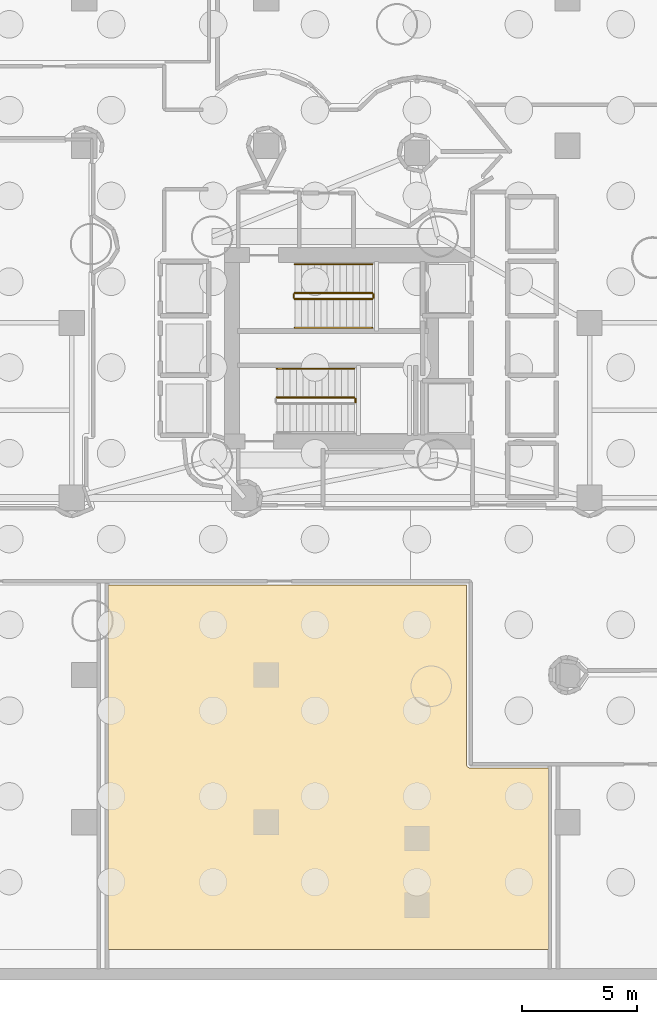
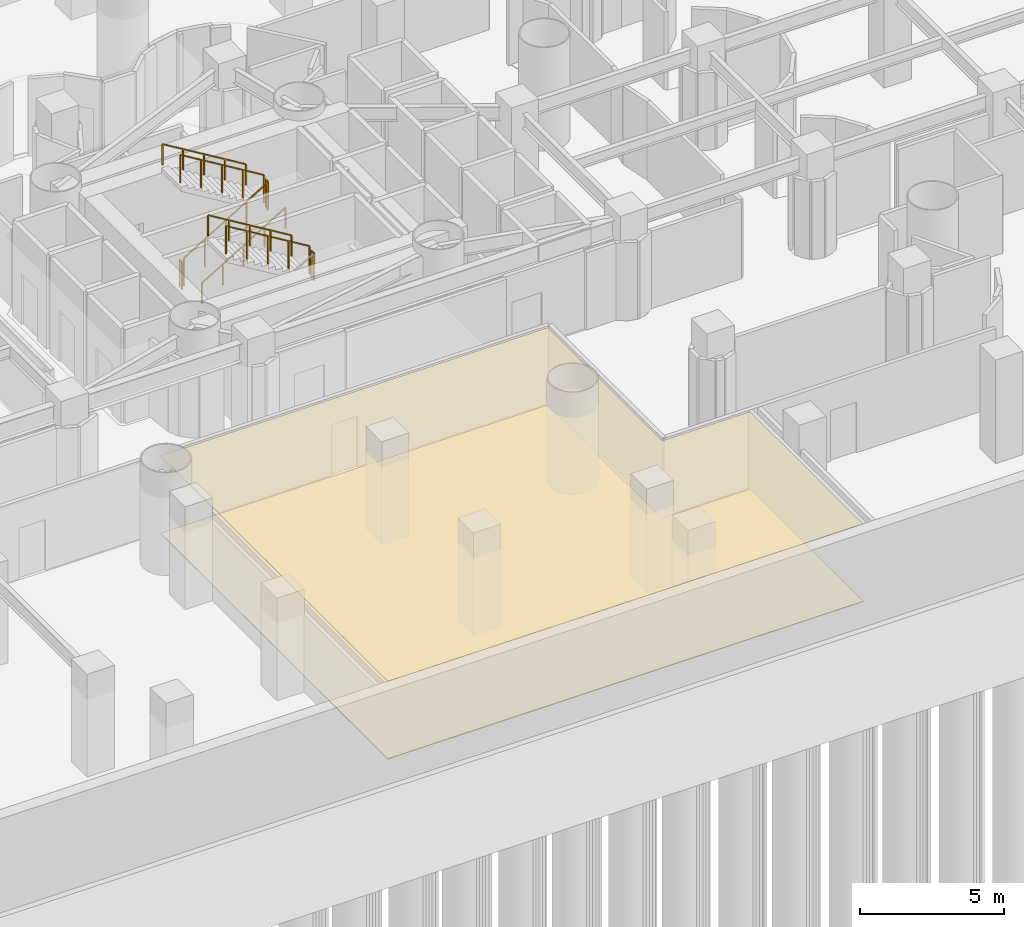
# One storey, part 10 of 13: 9 railings, 2 coverings.
"""IFC4 building model written with IfcOpenShell, lengths in metres."""

from ifc_helpers import new_model, si_unit, direction, frame, origin, origin_2d, place, context, subcontext, project, spatial, polyline, rectangle, outline, extrude, material, layer, layer_set, type_object, element, save


model = new_model("IFC4")

# Units and contexts
model_context = context("Model", 3, precision=1e-05, world=origin(), true_north=direction((0.0, 1.0)))
body_context = subcontext(model_context, "Body", "Model", "MODEL_VIEW")
ifc_project = project(units=[si_unit("LENGTHUNIT", "METRE"), si_unit("AREAUNIT", "SQUARE_METRE"), si_unit("VOLUMEUNIT", "CUBIC_METRE"), si_unit("PLANEANGLEUNIT", "RADIAN"), si_unit("MASSUNIT", "GRAM", prefix="KILO")], contexts=[model_context])

# Site, building, storey
site_placement = place(None, origin())
site = spatial("IfcSite", under=ifc_project, at=site_placement, CompositionType="ELEMENT")
building_placement = place(site_placement, origin())
building = spatial("IfcBuilding", under=site, at=building_placement, Name="Qianvela Tower", CompositionType="ELEMENT")
storey_placement = place(building_placement, frame((0.0, 0.0, -10.0)))
storey = spatial("IfcBuildingStorey", under=building, at=storey_placement, Name="B02", CompositionType="ELEMENT", Elevation=-10.0)

# Coverings
ifc_material_1 = material(Name="Perforated Mineral Acoustic Ceiling Tile")
ifc_layer_1 = layer(ifc_material_1, 0.02490234375)
ifc_layer_set_1 = layer_set([ifc_layer_1], Name="Perforated Mineral Acoustic Ceiling Tile")
covering_type_1 = type_object("IfcCoveringType", Name="COV-CEIL-ACOUSTIC-25", PredefinedType="CEILING", material=ifc_layer_set_1)
covering_1_placement = place(storey_placement, frame((0.0, 0.0, 3.294921875)))
element("IfcCovering", 1, at=covering_1_placement, inside=storey, type_object=covering_type_1, Name="B02 Acoustic Ceiling B02 Emergency Standby Generator Room", PredefinedType="CEILING", context=body_context, shape_type="SweptSolid", body=[
    extrude(outline(polyline([(43.219970703125, 2.580078125), (24.080078125, 2.580078125), (24.080078125, 18.407958984375), (39.657958984375, 18.407958984375), (39.66259765625, 10.576171875), (39.6630859375, 10.568359375), (39.664306640625, 10.560546875), (39.666259765625, 10.552978515625), (39.668701171875, 10.545654296875), (39.672119140625, 10.53857421875), (39.67626953125, 10.53173828125), (39.680908203125, 10.525390625), (39.686279296875, 10.519775390625), (39.69189453125, 10.514404296875), (39.6982421875, 10.509765625), (39.755615234375, 10.471435546875), (39.76220703125, 10.46728515625), (39.769287109375, 10.464111328125), (39.77685546875, 10.46142578125), (39.784423828125, 10.45947265625), (39.792236328125, 10.45849609375), (39.800048828125, 10.4580078125), (43.219970703125, 10.4580078125), (43.219970703125, 2.580078125)])), origin(), (0.0, 0.0, 1.0), 0.025146484375),
])
ifc_material_2 = material(Name="Honed Stone Terrazzo Flooring", Category="masonry")
ifc_layer_2 = layer(ifc_material_2, 0.030029296875)
ifc_layer_set_2 = layer_set([ifc_layer_2], Name="Honed Stone Terrazzo Flooring")
covering_type_2 = type_object("IfcCoveringType", Name="COV-FLOOR-TERRAZZO-30", PredefinedType="FLOORING", material=ifc_layer_set_2)
covering_2_placement = place(storey_placement, origin())
element("IfcCovering", 2, at=covering_2_placement, inside=storey, type_object=covering_type_2, Name="B02 Finish Flooring B02 Emergency Standby Generator Room", PredefinedType="FLOORING", context=body_context, shape_type="SweptSolid", body=[
    extrude(outline(polyline([(43.219970703125, 2.580078125), (24.080078125, 2.580078125), (24.080078125, 18.407958984375), (39.657958984375, 18.407958984375), (39.66259765625, 10.576171875), (39.6630859375, 10.568359375), (39.664306640625, 10.560546875), (39.666259765625, 10.552978515625), (39.668701171875, 10.545654296875), (39.672119140625, 10.53857421875), (39.67626953125, 10.53173828125), (39.680908203125, 10.525390625), (39.686279296875, 10.519775390625), (39.69189453125, 10.514404296875), (39.6982421875, 10.509765625), (39.755615234375, 10.471435546875), (39.76220703125, 10.46728515625), (39.769287109375, 10.464111328125), (39.77685546875, 10.46142578125), (39.784423828125, 10.45947265625), (39.792236328125, 10.45849609375), (39.800048828125, 10.4580078125), (43.219970703125, 10.4580078125), (43.219970703125, 2.580078125)])), origin(), (0.0, 0.0, 1.0), 0.030029296875),
])

# Railings
ifc_material_3 = material(Name="Painted Tubular Steel Q355B", Category="steel")
railing_type_1 = type_object("IfcRailingType", Name="RL-STAIR-GUARD-1200", PredefinedType="GUARDRAIL", material=ifc_material_3)
railing_1_placement = place(storey_placement, frame((32.199951171875, 30.840087890625, 0.169189453125)))
element("IfcRailing", 3, at=railing_1_placement, inside=storey, type_object=railing_type_1, Name="B02 ST-1 stair guard 1", PredefinedType="GUARDRAIL", context=body_context, shape_type="SweptSolid", body=[
    extrude(rectangle(XDim=0.050048828125, YDim=0.0400390625, at=origin_2d()), frame((0.0, 0.0, 1.179931640625), z_axis=(0.855836976705, 0.0, 0.517245656632), x_axis=(0.0, 1.0, 0.0)), (0.0, 0.0, 1.0), 3.926025390625),
    extrude(rectangle(XDim=0.050048828125, YDim=0.050048828125, at=origin_2d()), origin(), (0.0, 0.0, 1.0), 1.159912109375),
    extrude(rectangle(XDim=0.050048828125, YDim=0.050048828125, at=origin_2d()), frame((0.840087890625, 0.0, 0.5078125)), (0.0, 0.0, 1.0), 1.159912109375),
    extrude(rectangle(XDim=0.050048828125, YDim=0.050048828125, at=origin_2d()), frame((1.68017578125, 0.0, 1.015380859375)), (0.0, 0.0, 1.0), 1.159912109375),
    extrude(rectangle(XDim=0.050048828125, YDim=0.050048828125, at=origin_2d()), frame((2.52001953125, 0.0, 1.52294921875)), (0.0, 0.0, 1.0), 1.159912109375),
    extrude(rectangle(XDim=0.050048828125, YDim=0.050048828125, at=origin_2d()), frame((3.360107421875, 0.0, 2.03076171875)), (0.0, 0.0, 1.0), 1.159912109375),
])
railing_2_placement = place(storey_placement, frame((35.610107421875, 30.889892578125, 2.199951171875)))
element("IfcRailing", 4, at=railing_2_placement, inside=storey, type_object=railing_type_1, Name="B02 ST-1 stair guard 2", PredefinedType="GUARDRAIL", context=body_context, shape_type="SweptSolid", body=[
    extrude(rectangle(XDim=0.050048828125, YDim=0.0400390625, at=origin_2d()), frame((0.0, 0.0, 1.179931640625), z_axis=(0.0, 1.0, 0.0), x_axis=(-1.0, 0.0, 0.0)), (0.0, 0.0, 1.0), 0.16015625),
    extrude(rectangle(XDim=0.050048828125, YDim=0.050048828125, at=origin_2d()), origin(), (0.0, 0.0, 1.0), 1.159912109375),
    extrude(rectangle(XDim=0.050048828125, YDim=0.050048828125, at=origin_2d()), frame((0.0, 0.16015625, 0.0)), (0.0, 0.0, 1.0), 1.159912109375),
])
railing_3_placement = place(storey_placement, frame((35.56005859375, 31.10009765625, 2.369140625)))
element("IfcRailing", 5, at=railing_3_placement, inside=storey, type_object=railing_type_1, Name="B02 ST-1 stair guard 3", PredefinedType="GUARDRAIL", context=body_context, shape_type="SweptSolid", body=[
    extrude(rectangle(XDim=0.050048828125, YDim=0.0400390625, at=origin_2d()), frame((0.0, 0.0, 1.179931640625), z_axis=(-0.855836976705, 0.0, 0.517245656632), x_axis=(0.0, -1.0, 0.0)), (0.0, 0.0, 1.0), 3.926025390625),
    extrude(rectangle(XDim=0.050048828125, YDim=0.050048828125, at=origin_2d()), origin(), (0.0, 0.0, 1.0), 1.159912109375),
    extrude(rectangle(XDim=0.050048828125, YDim=0.050048828125, at=origin_2d()), frame((-0.840087890625, 0.0, 0.5078125)), (0.0, 0.0, 1.0), 1.159912109375),
    extrude(rectangle(XDim=0.050048828125, YDim=0.050048828125, at=origin_2d()), frame((-1.68017578125, 0.0, 1.015380859375)), (0.0, 0.0, 1.0), 1.159912109375),
    extrude(rectangle(XDim=0.050048828125, YDim=0.050048828125, at=origin_2d()), frame((-2.52001953125, 0.0, 1.52294921875)), (0.0, 0.0, 1.0), 1.159912109375),
    extrude(rectangle(XDim=0.050048828125, YDim=0.050048828125, at=origin_2d()), frame((-3.360107421875, 0.0, 2.03076171875)), (0.0, 0.0, 1.0), 1.159912109375),
])
railing_4_placement = place(storey_placement, frame((32.14990234375, 30.889892578125, 0.0)))
element("IfcRailing", 6, at=railing_4_placement, inside=storey, type_object=railing_type_1, Name="B02 ST-1 stair guard 4", PredefinedType="GUARDRAIL", context=body_context, shape_type="SweptSolid", body=[
    extrude(rectangle(XDim=0.050048828125, YDim=0.0400390625, at=origin_2d()), frame((0.0, 0.0, 1.179931640625), z_axis=(0.0, 1.0, 0.0), x_axis=(-1.0, 0.0, 0.0)), (0.0, 0.0, 1.0), 0.16015625),
    extrude(rectangle(XDim=0.050048828125, YDim=0.050048828125, at=origin_2d()), origin(), (0.0, 0.0, 1.0), 1.159912109375),
    extrude(rectangle(XDim=0.050048828125, YDim=0.050048828125, at=origin_2d()), frame((0.0, 0.16015625, 0.0)), (0.0, 0.0, 1.0), 1.159912109375),
])
railing_5_placement = place(storey_placement, frame((34.830078125, 26.35009765625, 2.199951171875)))
element("IfcRailing", 7, at=railing_5_placement, inside=storey, type_object=railing_type_1, Name="B02 ST-2 stair guard 2", PredefinedType="GUARDRAIL", context=body_context, shape_type="SweptSolid", body=[
    extrude(rectangle(XDim=0.050048828125, YDim=0.0400390625, at=origin_2d()), frame((0.0, 0.0, 1.179931640625), z_axis=(0.0, 1.0, 0.0), x_axis=(-1.0, 0.0, 0.0)), (0.0, 0.0, 1.0), 0.159912109375),
    extrude(rectangle(XDim=0.050048828125, YDim=0.050048828125, at=origin_2d()), origin(), (0.0, 0.0, 1.0), 1.159912109375),
    extrude(rectangle(XDim=0.050048828125, YDim=0.050048828125, at=origin_2d()), frame((0.0, 0.159912109375, 0.0)), (0.0, 0.0, 1.0), 1.159912109375),
])
railing_6_placement = place(storey_placement, frame((34.780029296875, 26.56005859375, 2.369140625)))
element("IfcRailing", 8, at=railing_6_placement, inside=storey, type_object=railing_type_1, Name="B02 ST-2 stair guard 3", PredefinedType="GUARDRAIL", context=body_context, shape_type="SweptSolid", body=[
    extrude(rectangle(XDim=0.050048828125, YDim=0.0400390625, at=origin_2d()), frame((0.0, 0.0, 1.179931640625), z_axis=(-0.855836976705, 0.0, 0.517245656632), x_axis=(0.0, -1.0, 0.0)), (0.0, 0.0, 1.0), 3.926025390625),
    extrude(rectangle(XDim=0.050048828125, YDim=0.050048828125, at=origin_2d()), origin(), (0.0, 0.0, 1.0), 1.159912109375),
    extrude(rectangle(XDim=0.050048828125, YDim=0.050048828125, at=origin_2d()), frame((-0.840087890625, 0.0, 0.5078125)), (0.0, 0.0, 1.0), 1.159912109375),
    extrude(rectangle(XDim=0.050048828125, YDim=0.050048828125, at=origin_2d()), frame((-1.68017578125, 0.0, 1.015380859375)), (0.0, 0.0, 1.0), 1.159912109375),
    extrude(rectangle(XDim=0.050048828125, YDim=0.050048828125, at=origin_2d()), frame((-2.52001953125, 0.0, 1.52294921875)), (0.0, 0.0, 1.0), 1.159912109375),
    extrude(rectangle(XDim=0.050048828125, YDim=0.050048828125, at=origin_2d()), frame((-3.360107421875, 0.0, 2.03076171875)), (0.0, 0.0, 1.0), 1.159912109375),
])
ifc_material_4 = material(Name="Brushed Stainless Steel 304", Category="steel")
railing_type_2 = type_object("IfcRailingType", Name="RL-STAIR-HANDRAIL-900", PredefinedType="HANDRAIL", material=ifc_material_4)
railing_7_placement = place(storey_placement, frame((32.199951171875, 29.590087890625, 0.169189453125)))
element("IfcRailing", 9, at=railing_7_placement, inside=storey, type_object=railing_type_2, Name="B02 ST-1 stair handrail 1", PredefinedType="HANDRAIL", context=body_context, shape_type="SweptSolid", body=[
    extrude(rectangle(XDim=0.050048828125, YDim=0.0400390625, at=origin_2d()), frame((0.0, 0.0, 0.8798828125), z_axis=(0.855836976705, 0.0, 0.517245656632), x_axis=(0.0, 1.0, 0.0)), (0.0, 0.0, 1.0), 3.926025390625),
    extrude(rectangle(XDim=0.050048828125, YDim=0.050048828125, at=origin_2d()), origin(), (0.0, 0.0, 1.0), 0.85986328125),
    extrude(rectangle(XDim=0.050048828125, YDim=0.050048828125, at=origin_2d()), frame((0.840087890625, 0.0, 0.5078125)), (0.0, 0.0, 1.0), 0.85986328125),
    extrude(rectangle(XDim=0.050048828125, YDim=0.050048828125, at=origin_2d()), frame((1.68017578125, 0.0, 1.015380859375)), (0.0, 0.0, 1.0), 0.85986328125),
    extrude(rectangle(XDim=0.050048828125, YDim=0.050048828125, at=origin_2d()), frame((2.52001953125, 0.0, 1.52294921875)), (0.0, 0.0, 1.0), 0.85986328125),
    extrude(rectangle(XDim=0.050048828125, YDim=0.050048828125, at=origin_2d()), frame((3.360107421875, 0.0, 2.03076171875)), (0.0, 0.0, 1.0), 0.85986328125),
])
for number, where, name in (
    (10, (35.56005859375, 32.35009765625, 2.369140625), "B02 ST-1 stair handrail 2"),
    (11, (34.780029296875, 27.81005859375, 2.369140625), "B02 ST-2 stair handrail 2"),
):
    element("IfcRailing", number, at=place(storey_placement, frame(where)), inside=storey, type_object=railing_type_2, Name=name, PredefinedType="HANDRAIL", context=body_context, shape_type="SweptSolid", body=[
        extrude(rectangle(XDim=0.050048828125, YDim=0.0400390625, at=origin_2d()), frame((0.0, 0.0, 0.8798828125), z_axis=(-0.855836976705, 0.0, 0.517245656632), x_axis=(0.0, -1.0, 0.0)), (0.0, 0.0, 1.0), 3.926025390625),
        extrude(rectangle(XDim=0.050048828125, YDim=0.050048828125, at=origin_2d()), origin(), (0.0, 0.0, 1.0), 0.85986328125),
        extrude(rectangle(XDim=0.050048828125, YDim=0.050048828125, at=origin_2d()), frame((-0.840087890625, 0.0, 0.5078125)), (0.0, 0.0, 1.0), 0.85986328125),
        extrude(rectangle(XDim=0.050048828125, YDim=0.050048828125, at=origin_2d()), frame((-1.68017578125, 0.0, 1.015380859375)), (0.0, 0.0, 1.0), 0.85986328125),
        extrude(rectangle(XDim=0.050048828125, YDim=0.050048828125, at=origin_2d()), frame((-2.52001953125, 0.0, 1.52294921875)), (0.0, 0.0, 1.0), 0.85986328125),
        extrude(rectangle(XDim=0.050048828125, YDim=0.050048828125, at=origin_2d()), frame((-3.360107421875, 0.0, 2.03076171875)), (0.0, 0.0, 1.0), 0.85986328125),
    ])

save(model, "model.ifc")
